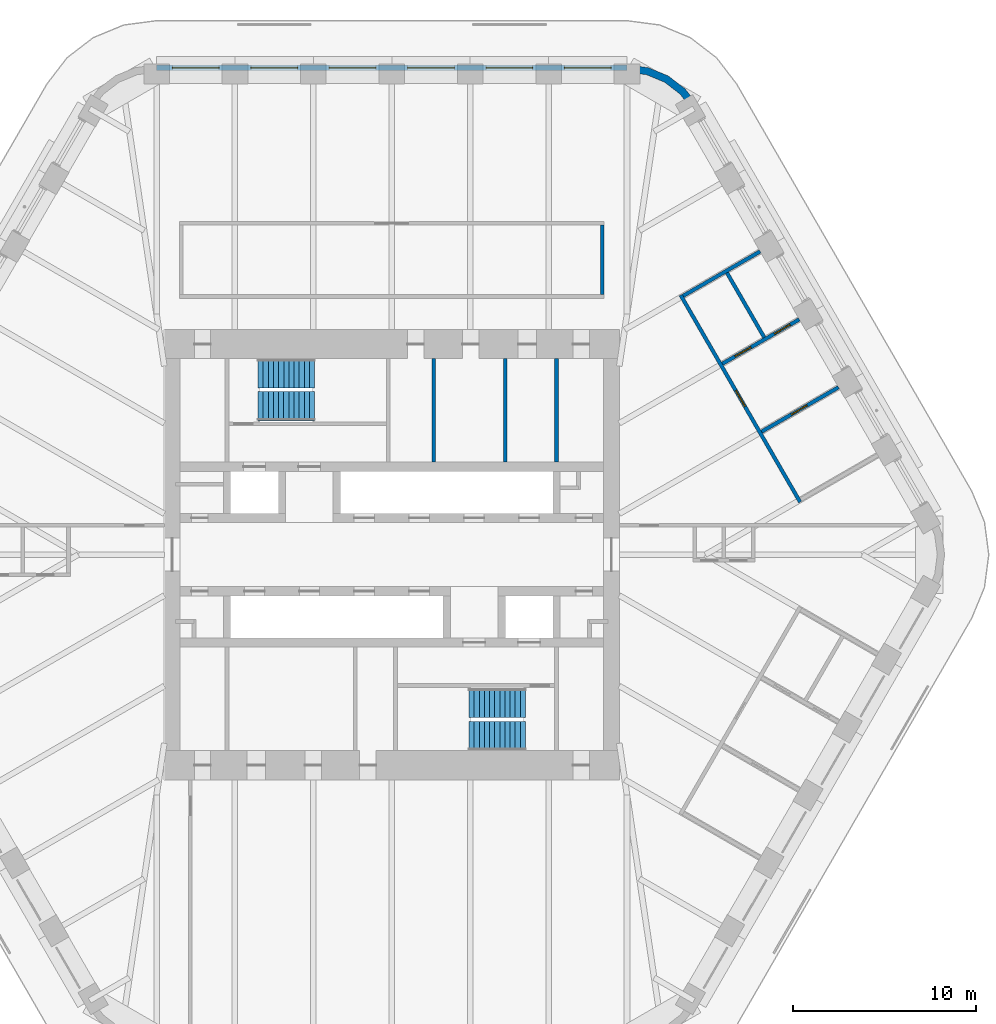
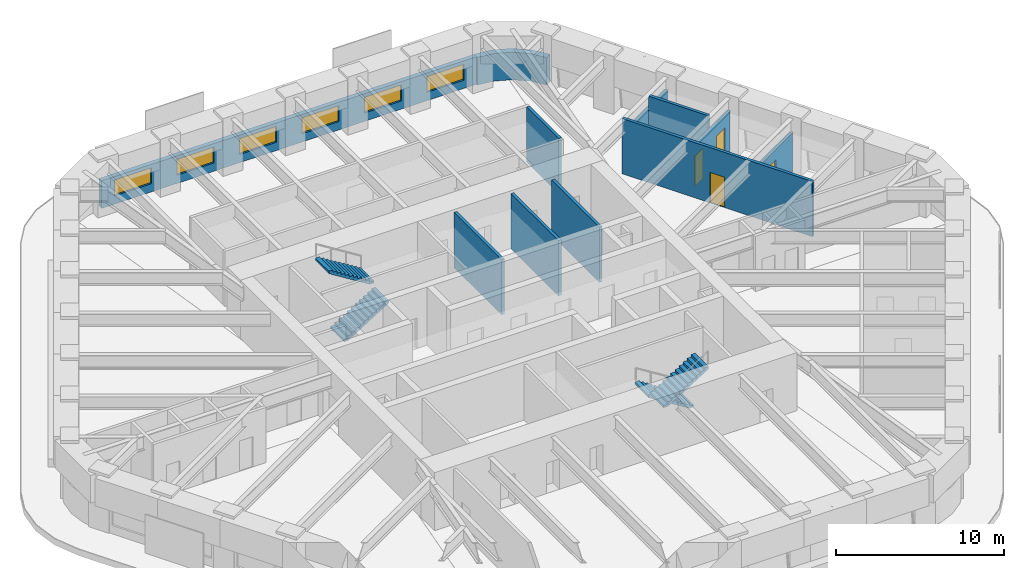
# One storey, part 16 of 18: 11 walls, 6 windows, 4 doors, 4 stair flights, 10 openings, 2 elements without a shape of their own.
"""IFC4 building model written with IfcOpenShell, lengths in metres."""

from ifc_helpers import new_model, si_unit, direction, frame, frame_2d, origin, place, context, subcontext, project, spatial, polyline, rectangle, outline, extrude, material, layer, layer_set, type_object, element, fill, aggregate, save


model = new_model("IFC4")

# Units and contexts
model_context = context("Model", 3, precision=1e-05, world=origin(), true_north=direction((0.0, 1.0)))
body_context = subcontext(model_context, "Body", "Model", "MODEL_VIEW")
ifc_project = project(units=[si_unit("LENGTHUNIT", "METRE"), si_unit("AREAUNIT", "SQUARE_METRE"), si_unit("VOLUMEUNIT", "CUBIC_METRE"), si_unit("PLANEANGLEUNIT", "RADIAN"), si_unit("MASSUNIT", "GRAM", prefix="KILO")], contexts=[model_context])

# Site, building, storey
site_placement = place(None, origin())
site = spatial("IfcSite", under=ifc_project, at=site_placement, CompositionType="ELEMENT")
building_placement = place(site_placement, origin())
building = spatial("IfcBuilding", under=site, at=building_placement, Name="Tarfa Lantern Tower", CompositionType="ELEMENT")
storey_placement = place(building_placement, frame((0.0, 0.0, 319.89990234375)))
storey = spatial("IfcBuildingStorey", under=building, at=storey_placement, Name="L72", CompositionType="ELEMENT", Elevation=319.89990234375)

# Wall, openings, windows
ifc_material_1 = material(Name="Limestone cladding on blockwork", Category="masonry")
ifc_layer_1 = layer(ifc_material_1, 0.300048828125)
ifc_layer_set_1 = layer_set([ifc_layer_1], Name="EW1 STONE-CLAD WALL 300")
wall_type_1 = type_object("IfcWallType", Name="EW1 STONE-CLAD WALL 300", PredefinedType="SOLIDWALL", material=ifc_layer_set_1)
wall_1_placement = place(storey_placement, frame((12.845947265625, 26.60009765625, 0.0), z_axis=(0.0, 0.0, 1.0), x_axis=(-1.0, 0.0, 0.0)))
wall_1 = element("IfcWall", 1, at=wall_1_placement, inside=storey, type_object=wall_type_1, Name="Stone wall N", PredefinedType="SOLIDWALL", context=body_context, shape_type="SweptSolid", body=[
    extrude(rectangle(XDim=25.69189453125, YDim=0.300048828125, at=frame_2d((12.845947265625, 0.0))), origin(), (0.0, 0.0, 1.0), 2.0),
])
opening_1_placement = place(wall_1_placement, frame((0.865966796875, 0.0, 0.60009765625)))
opening_1 = element("IfcOpeningElement", 2, at=opening_1_placement, cuts=wall_1, Name="Opening W16", PredefinedType="OPENING", context=body_context, shape_type="SweptSolid", body=[
    extrude(rectangle(XDim=2.550048828125, YDim=1.14990234375, at=frame_2d((1.27490234375, 0.574951171875))), frame((0.0, 0.159912109375, 0.0), z_axis=(0.0, -1.0, 0.0), x_axis=(1.0, 0.0, 0.0)), (0.0, 0.0, 1.0), 0.320068359375),
])
opening_2_placement = place(wall_1_placement, frame((5.14794921875, 0.0, 0.60009765625)))
opening_2 = element("IfcOpeningElement", 3, at=opening_2_placement, cuts=wall_1, Name="Opening W16", PredefinedType="OPENING", context=body_context, shape_type="SweptSolid", body=[
    extrude(rectangle(XDim=2.550048828125, YDim=1.14990234375, at=frame_2d((1.27490234375, 0.574951171875))), frame((0.0, 0.159912109375, 0.0), z_axis=(0.0, -1.0, 0.0), x_axis=(1.0, 0.0, 0.0)), (0.0, 0.0, 1.0), 0.320068359375),
])
opening_3_placement = place(wall_1_placement, frame((9.429931640625, 0.0, 0.60009765625)))
opening_3 = element("IfcOpeningElement", 4, at=opening_3_placement, cuts=wall_1, Name="Opening W16", PredefinedType="OPENING", context=body_context, shape_type="SweptSolid", body=[
    extrude(rectangle(XDim=2.550048828125, YDim=1.14990234375, at=frame_2d((1.27490234375, 0.574951171875))), frame((0.0, 0.159912109375, 0.0), z_axis=(0.0, -1.0, 0.0), x_axis=(1.0, 0.0, 0.0)), (0.0, 0.0, 1.0), 0.320068359375),
])
opening_4_placement = place(wall_1_placement, frame((13.712158203125, 0.0, 0.60009765625)))
opening_4 = element("IfcOpeningElement", 5, at=opening_4_placement, cuts=wall_1, Name="Opening W16", PredefinedType="OPENING", context=body_context, shape_type="SweptSolid", body=[
    extrude(rectangle(XDim=2.550048828125, YDim=1.14990234375, at=frame_2d((1.27490234375, 0.574951171875))), frame((0.0, 0.159912109375, 0.0), z_axis=(0.0, -1.0, 0.0), x_axis=(1.0, 0.0, 0.0)), (0.0, 0.0, 1.0), 0.320068359375),
])
opening_5_placement = place(wall_1_placement, frame((17.994140625, 0.0, 0.60009765625)))
opening_5 = element("IfcOpeningElement", 6, at=opening_5_placement, cuts=wall_1, Name="Opening W16", PredefinedType="OPENING", context=body_context, shape_type="SweptSolid", body=[
    extrude(rectangle(XDim=2.550048828125, YDim=1.14990234375, at=frame_2d((1.27490234375, 0.574951171875))), frame((0.0, 0.159912109375, 0.0), z_axis=(0.0, -1.0, 0.0), x_axis=(1.0, 0.0, 0.0)), (0.0, 0.0, 1.0), 0.320068359375),
])
opening_6_placement = place(wall_1_placement, frame((22.276123046875, 0.0, 0.60009765625)))
opening_6 = element("IfcOpeningElement", 7, at=opening_6_placement, cuts=wall_1, Name="Opening W16", PredefinedType="OPENING", context=body_context, shape_type="SweptSolid", body=[
    extrude(rectangle(XDim=2.550048828125, YDim=1.14990234375, at=frame_2d((1.27490234375, 0.574951171875))), frame((0.0, 0.159912109375, 0.0), z_axis=(0.0, -1.0, 0.0), x_axis=(1.0, 0.0, 0.0)), (0.0, 0.0, 1.0), 0.320068359375),
])
ifc_material_2 = material(Name="Aluminium frame, double glazed", Category="aluminium")
window_type = type_object("IfcWindowType", Name="W16 FULL-HEIGHT GLAZING 2550x1150", PartitioningType="SINGLE_PANEL", PredefinedType="WINDOW", material=ifc_material_2)
window_1_placement = place(opening_1_placement, origin())
window_1 = element("IfcWindow", 8, at=window_1_placement, inside=storey, type_object=window_type, Name="Window N 1", OverallHeight=1.14990234375, OverallWidth=2.550048828125, PartitioningType="SINGLE_PANEL", PredefinedType="WINDOW", context=body_context, shape_type="SweptSolid", body=[
    extrude(rectangle(XDim=2.550048828125, YDim=1.14990234375, at=frame_2d((1.27490234375, 0.574951171875))), frame((0.0, 0.030029296875, 0.0), z_axis=(0.0, -1.0, 0.0), x_axis=(1.0, 0.0, 0.0)), (0.0, 0.0, 1.0), 0.06005859375),
])
fill(opening_1, window_1)
window_2_placement = place(opening_2_placement, origin())
window_2 = element("IfcWindow", 9, at=window_2_placement, inside=storey, type_object=window_type, Name="Window N 2", OverallHeight=1.14990234375, OverallWidth=2.550048828125, PartitioningType="SINGLE_PANEL", PredefinedType="WINDOW", context=body_context, shape_type="SweptSolid", body=[
    extrude(rectangle(XDim=2.550048828125, YDim=1.14990234375, at=frame_2d((1.27490234375, 0.574951171875))), frame((0.0, 0.030029296875, 0.0), z_axis=(0.0, -1.0, 0.0), x_axis=(1.0, 0.0, 0.0)), (0.0, 0.0, 1.0), 0.06005859375),
])
fill(opening_2, window_2)
window_3_placement = place(opening_3_placement, origin())
window_3 = element("IfcWindow", 10, at=window_3_placement, inside=storey, type_object=window_type, Name="Window N 3", OverallHeight=1.14990234375, OverallWidth=2.550048828125, PartitioningType="SINGLE_PANEL", PredefinedType="WINDOW", context=body_context, shape_type="SweptSolid", body=[
    extrude(rectangle(XDim=2.550048828125, YDim=1.14990234375, at=frame_2d((1.27490234375, 0.574951171875))), frame((0.0, 0.030029296875, 0.0), z_axis=(0.0, -1.0, 0.0), x_axis=(1.0, 0.0, 0.0)), (0.0, 0.0, 1.0), 0.06005859375),
])
fill(opening_3, window_3)
window_4_placement = place(opening_4_placement, origin())
window_4 = element("IfcWindow", 11, at=window_4_placement, inside=storey, type_object=window_type, Name="Window N 4", OverallHeight=1.14990234375, OverallWidth=2.550048828125, PartitioningType="SINGLE_PANEL", PredefinedType="WINDOW", context=body_context, shape_type="SweptSolid", body=[
    extrude(rectangle(XDim=2.550048828125, YDim=1.14990234375, at=frame_2d((1.27490234375, 0.574951171875))), frame((0.0, 0.030029296875, 0.0), z_axis=(0.0, -1.0, 0.0), x_axis=(1.0, 0.0, 0.0)), (0.0, 0.0, 1.0), 0.06005859375),
])
fill(opening_4, window_4)
window_5_placement = place(opening_5_placement, origin())
window_5 = element("IfcWindow", 12, at=window_5_placement, inside=storey, type_object=window_type, Name="Window N 5", OverallHeight=1.14990234375, OverallWidth=2.550048828125, PartitioningType="SINGLE_PANEL", PredefinedType="WINDOW", context=body_context, shape_type="SweptSolid", body=[
    extrude(rectangle(XDim=2.550048828125, YDim=1.14990234375, at=frame_2d((1.27490234375, 0.574951171875))), frame((0.0, 0.030029296875, 0.0), z_axis=(0.0, -1.0, 0.0), x_axis=(1.0, 0.0, 0.0)), (0.0, 0.0, 1.0), 0.06005859375),
])
fill(opening_5, window_5)
window_6_placement = place(opening_6_placement, origin())
window_6 = element("IfcWindow", 13, at=window_6_placement, inside=storey, type_object=window_type, Name="Window N 6", OverallHeight=1.14990234375, OverallWidth=2.550048828125, PartitioningType="SINGLE_PANEL", PredefinedType="WINDOW", context=body_context, shape_type="SweptSolid", body=[
    extrude(rectangle(XDim=2.550048828125, YDim=1.14990234375, at=frame_2d((1.27490234375, 0.574951171875))), frame((0.0, 0.030029296875, 0.0), z_axis=(0.0, -1.0, 0.0), x_axis=(1.0, 0.0, 0.0)), (0.0, 0.0, 1.0), 0.06005859375),
])
fill(opening_6, window_6)

# Walls
ifc_layer_2 = layer(ifc_material_1, 0.39990234375)
ifc_layer_set_2 = layer_set([ifc_layer_2], Name="EW2 CURVED STONE CORNER 400")
wall_type_2 = type_object("IfcWallType", Name="EW2 CURVED STONE CORNER 400", PredefinedType="SOLIDWALL", material=ifc_layer_set_2)
wall_2_placement = place(storey_placement, origin())
element("IfcWall", 14, at=wall_2_placement, inside=storey, type_object=wall_type_2, Name="Stone corner NE-N", PredefinedType="SOLIDWALL", context=body_context, shape_type="SweptSolid", body=[
    extrude(outline(polyline([(16.7431640625, 24.5), (16.028076171875, 25.431884765625), (15.095947265625, 26.147216796875), (14.0107421875, 26.5966796875), (12.845947265625, 26.75), (12.845947265625, 26.35009765625), (13.9072265625, 26.210205078125), (14.89599609375, 25.80078125), (15.7451171875, 25.149169921875), (16.396728515625, 24.300048828125), (16.7431640625, 24.5)])), origin(), (0.0, 0.0, 1.0), 2.0),
])
ifc_material_3 = material(Name="Concrete blockwork", Category="masonry")
ifc_layer_3 = layer(ifc_material_3, 0.199951171875)
ifc_layer_set_3 = layer_set([ifc_layer_3], Name="IW1 BLOCKWORK PARTITION 200 EI 120")
wall_type_3 = type_object("IfcWallType", Name="IW1 BLOCKWORK PARTITION 200 EI 120", PredefinedType="PARTITIONING", material=ifc_layer_set_3)
for number, where, z_axis, x_axis, name in (
    (15, (9.0, 5.050048828125, 0.0), (0.0, 0.0, 1.0), (0.0, 1.0, 0.0), "Core partition"),
    (16, (2.300048828125, 5.050048828125, 0.0), (0.0, 0.0, 1.0), (0.0, 1.0, 0.0), "Core partition"),
    (17, (6.199951171875, 5.050048828125, 0.0), (0.0, 0.0, 1.0), (0.0, 1.0, 0.0), "Core partition"),
):
    element("IfcWall", number, at=place(storey_placement, frame(where, z_axis=z_axis, x_axis=x_axis)), inside=storey, type_object=wall_type_3, Name=name, PredefinedType="PARTITIONING", context=body_context, shape_type="SweptSolid", body=[
        extrude(rectangle(XDim=5.64990234375, YDim=0.199951171875, at=frame_2d((2.824951171875, 0.0))), origin(), (0.0, 0.0, 1.0), 4.0),
    ])
ifc_material_4 = material(Name="Gypsum board on steel studs", Category="steel")
ifc_layer_4 = layer(ifc_material_4, 0.2099609375)
ifc_layer_set_4 = layer_set([ifc_layer_4], Name="IW2 ACOUSTIC PARTITION 200")
wall_type_4 = type_object("IfcWallType", Name="IW2 ACOUSTIC PARTITION 200", PredefinedType="PARTITIONING", material=ifc_layer_set_4)
wall_3_placement = place(storey_placement, frame((11.5, 14.199951171875, 0.0), z_axis=(0.0, 0.0, 1.0), x_axis=(0.0, 1.0, 0.0)))
element("IfcWall", 18, at=wall_3_placement, inside=storey, type_object=wall_type_4, Name="Partition", PredefinedType="PARTITIONING", context=body_context, shape_type="SweptSolid", body=[
    extrude(rectangle(XDim=3.800048828125, YDim=0.199951171875, at=frame_2d((1.89990234375, 0.0))), origin(), (0.0, 0.0, 1.0), 4.0),
])

# Wall, opening, door
wall_4_placement = place(storey_placement, frame((22.302001953125, 2.871826171875, 0.0), z_axis=(0.0, 0.0, 1.0), x_axis=(-0.499999460936, 0.866025715013, 0.0)))
wall_4 = element("IfcWall", 19, at=wall_4_placement, inside=storey, type_object=wall_type_4, Name="Partition", PredefinedType="PARTITIONING", context=body_context, shape_type="SweptSolid", body=[
    extrude(rectangle(XDim=13.0458984375, YDim=0.199951171875, at=frame_2d((6.52294921875, 0.0))), origin(), (0.0, 0.0, 1.0), 4.0),
])
opening_7_placement = place(wall_4_placement, frame((6.02294921875, 0.0, 0.0)))
opening_7 = element("IfcOpeningElement", 20, at=opening_7_placement, cuts=wall_4, Name="Opening D22", PredefinedType="OPENING", context=body_context, shape_type="SweptSolid", body=[
    extrude(rectangle(XDim=1.0, YDim=2.199951171875, at=frame_2d((0.5, 1.10009765625))), frame((0.0, 0.10986328125, 0.0), z_axis=(0.0, -1.0, 0.0), x_axis=(1.0, 0.0, 0.0)), (0.0, 0.0, 1.0), 0.219970703125),
])
ifc_material_5 = material(Name="Timber door", Category="wood")
door_type = type_object("IfcDoorType", Name="DR1 ROOM DOOR 1000x2200", OperationType="SINGLE_SWING_LEFT", PredefinedType="DOOR", material=ifc_material_5)
door_1_placement = place(opening_7_placement, frame((1.0, 0.0, 0.0), z_axis=(0.0, 0.0, 1.0), x_axis=(-1.0, 0.0, 0.0)))
door_1 = element("IfcDoor", 21, at=door_1_placement, inside=storey, type_object=door_type, Name="PA area door", OperationType="SINGLE_SWING_LEFT", OverallHeight=2.199951171875, OverallWidth=1.0, PredefinedType="DOOR", context=body_context, shape_type="SweptSolid", body=[
    extrude(rectangle(XDim=1.0, YDim=2.199951171875, at=frame_2d((0.5, 1.10009765625))), frame((0.0, 0.02490234375, 0.0), z_axis=(0.0, -1.0, 0.0), x_axis=(1.0, 0.0, 0.0)), (0.0, 0.0, 1.0), 0.050048828125),
])
fill(opening_7, door_1)

wall_5_placement = place(storey_placement, frame((20.19775390625, 6.716552734375, 0.0), z_axis=(0.0, 0.0, 1.0), x_axis=(0.866019606374, 0.500010041276, 0.0)))
wall_5 = element("IfcWall", 22, at=wall_5_placement, inside=storey, type_object=wall_type_4, Name="Partition", PredefinedType="PARTITIONING", context=body_context, shape_type="SweptSolid", body=[
    extrude(rectangle(XDim=4.85009765625, YDim=0.199951171875, at=frame_2d((2.425048828125, 0.0))), origin(), (0.0, 0.0, 1.0), 2.991943359375),
])
opening_8_placement = place(wall_5_placement, frame((1.875, 0.0, 0.0)))
opening_8 = element("IfcOpeningElement", 23, at=opening_8_placement, cuts=wall_5, Name="Opening D21", PredefinedType="OPENING", context=body_context, shape_type="SweptSolid", body=[
    extrude(rectangle(XDim=1.0, YDim=2.199951171875, at=frame_2d((0.5, 1.10009765625))), frame((0.0, 0.10986328125, 0.0), z_axis=(0.0, -1.0, 0.0), x_axis=(1.0, 0.0, 0.0)), (0.0, 0.0, 1.0), 0.219970703125),
])
door_2_placement = place(opening_8_placement, frame((1.0, 0.0, 0.0), z_axis=(0.0, 0.0, 1.0), x_axis=(-1.0, 0.0, 0.0)))
door_2 = element("IfcDoor", 24, at=door_2_placement, inside=storey, type_object=door_type, Name="Executive office door", OperationType="SINGLE_SWING_LEFT", OverallHeight=2.199951171875, OverallWidth=1.0, PredefinedType="DOOR", context=body_context, shape_type="SweptSolid", body=[
    extrude(rectangle(XDim=1.0, YDim=2.199951171875, at=frame_2d((0.5, 1.10009765625))), frame((0.0, 0.02490234375, 0.0), z_axis=(0.0, -1.0, 0.0), x_axis=(1.0, 0.0, 0.0)), (0.0, 0.0, 1.0), 0.050048828125),
])
fill(opening_8, door_2)

# Wall, openings, doors
wall_6_placement = place(storey_placement, frame((18.056640625, 10.425048828125, 0.0), z_axis=(0.0, 0.0, 1.0), x_axis=(0.866019606374, 0.500010041276, 0.0)))
wall_6 = element("IfcWall", 25, at=wall_6_placement, inside=storey, type_object=wall_type_4, Name="Partition", PredefinedType="PARTITIONING", context=body_context, shape_type="SweptSolid", body=[
    extrude(rectangle(XDim=4.85009765625, YDim=0.199951171875, at=frame_2d((2.425048828125, 0.0))), origin(), (0.0, 0.0, 1.0), 3.081787109375),
])
opening_9_placement = place(wall_6_placement, frame((0.800048828125, 0.0, 0.0)))
opening_9 = element("IfcOpeningElement", 26, at=opening_9_placement, cuts=wall_6, Name="Opening D23", PredefinedType="OPENING", context=body_context, shape_type="SweptSolid", body=[
    extrude(rectangle(XDim=1.0, YDim=2.199951171875, at=frame_2d((0.5, 1.10009765625))), frame((0.0, 0.10986328125, 0.0), z_axis=(0.0, -1.0, 0.0), x_axis=(1.0, 0.0, 0.0)), (0.0, 0.0, 1.0), 0.219970703125),
])
opening_10_placement = place(wall_6_placement, frame((3.27490234375, 0.0, 0.0)))
opening_10 = element("IfcOpeningElement", 27, at=opening_10_placement, cuts=wall_6, Name="Opening D24", PredefinedType="OPENING", context=body_context, shape_type="SweptSolid", body=[
    extrude(rectangle(XDim=1.0, YDim=2.199951171875, at=frame_2d((0.5, 1.10009765625))), frame((0.0, 0.10986328125, 0.0), z_axis=(0.0, -1.0, 0.0), x_axis=(1.0, 0.0, 0.0)), (0.0, 0.0, 1.0), 0.219970703125),
])
door_3_placement = place(opening_9_placement, origin())
door_3 = element("IfcDoor", 28, at=door_3_placement, inside=storey, type_object=door_type, Name="Meeting room door", OperationType="SINGLE_SWING_RIGHT", OverallHeight=2.199951171875, OverallWidth=1.0, PredefinedType="DOOR", context=body_context, shape_type="SweptSolid", body=[
    extrude(rectangle(XDim=1.0, YDim=2.199951171875, at=frame_2d((0.5, 1.10009765625))), frame((0.0, 0.02490234375, 0.0), z_axis=(0.0, -1.0, 0.0), x_axis=(1.0, 0.0, 0.0)), (0.0, 0.0, 1.0), 0.050048828125),
])
fill(opening_9, door_3)
door_4_placement = place(opening_10_placement, origin())
door_4 = element("IfcDoor", 29, at=door_4_placement, inside=storey, type_object=door_type, Name="Private lounge door", OperationType="SINGLE_SWING_RIGHT", OverallHeight=2.199951171875, OverallWidth=1.0, PredefinedType="DOOR", context=body_context, shape_type="SweptSolid", body=[
    extrude(rectangle(XDim=1.0, YDim=2.199951171875, at=frame_2d((0.5, 1.10009765625))), frame((0.0, 0.02490234375, 0.0), z_axis=(0.0, -1.0, 0.0), x_axis=(1.0, 0.0, 0.0)), (0.0, 0.0, 1.0), 0.050048828125),
])
fill(opening_10, door_4)

# Walls
wall_7_placement = place(storey_placement, frame((15.91552734375, 14.13330078125, 0.0), z_axis=(0.0, 0.0, 1.0), x_axis=(0.866032190624, 0.499988244665, 0.0)))
element("IfcWall", 30, at=wall_7_placement, inside=storey, type_object=wall_type_4, Name="Partition", PredefinedType="PARTITIONING", context=body_context, shape_type="SweptSolid", body=[
    extrude(rectangle(XDim=4.85009765625, YDim=0.199951171875, at=frame_2d((2.425048828125, 0.0))), origin(), (0.0, 0.0, 1.0), 3.081787109375),
])
wall_8_placement = place(storey_placement, frame((20.344970703125, 11.861572265625, 0.0), z_axis=(0.0, 0.0, 1.0), x_axis=(-0.499998569178, 0.866026229868, 0.0)))
element("IfcWall", 31, at=wall_8_placement, inside=storey, type_object=wall_type_4, Name="Partition", PredefinedType="PARTITIONING", context=body_context, shape_type="SweptSolid", body=[
    extrude(rectangle(XDim=4.08203125, YDim=0.199951171875, at=frame_2d((2.041015625, 0.0))), origin(), (0.0, 0.0, 1.0), 4.0),
])

# Stair, stair flights
ifc_material_6 = material(Name="Concrete C40/50", Category="concrete")
stair_type = type_object("IfcStairType", Name="ST-T10 HALF-TURN STAIR 4200 RISE", PredefinedType="HALF_TURN_STAIR", material=ifc_material_6)
stair_1_placement = place(storey_placement, origin())
stair_1 = element("IfcStair", 32, at=stair_1_placement, inside=storey, type_object=stair_type, Name="Stair ST1", PredefinedType="HALF_TURN_STAIR")
stair_flight_type = type_object("IfcStairFlightType", Name="SF1 STAIR FLIGHT", PredefinedType="STRAIGHT", material=ifc_material_6)
stair_flight_1_placement = place(storey_placement, frame((-7.300048828125, 8.10009765625, 0.0), z_axis=(0.0, 0.0, 1.0), x_axis=(1.0, 0.0, 0.0)))
stair_flight_1 = element("IfcStairFlight", 33, at=stair_flight_1_placement, type_object=stair_flight_type, Name="ST1 flight 1", NumberOfRisers=12, NumberOfTreads=11, PredefinedType="STRAIGHT", RiserHeight=0.175, TreadLength=0.28, context=body_context, shape_type="SweptSolid", body=[
    extrude(outline(polyline([(0.0, 0.0), (0.0, 0.175048828125), (0.280029296875, 0.175048828125), (0.280029296875, 0.35009765625), (0.56005859375, 0.35009765625), (0.56005859375, 0.52490234375), (0.840087890625, 0.52490234375), (0.840087890625, 0.699951171875), (1.1201171875, 0.699951171875), (1.1201171875, 0.875), (1.39990234375, 0.875), (1.39990234375, 1.050048828125), (1.679931640625, 1.050048828125), (1.679931640625, 1.22509765625), (1.9599609375, 1.22509765625), (1.9599609375, 1.39990234375), (2.239990234375, 1.39990234375), (2.239990234375, 1.574951171875), (2.52001953125, 1.574951171875), (2.52001953125, 1.75), (2.800048828125, 1.75), (2.800048828125, 1.925048828125), (3.080078125, 1.925048828125), (3.080078125, 2.10009765625), (3.080078125, 1.748291015625), (0.28271484375, 0.0), (0.0, 0.0)])), frame((0.0, 0.800048828125, 0.0), z_axis=(0.0, -1.0, 0.0), x_axis=(1.0, 0.0, 0.0)), (0.0, 0.0, 1.0), 1.60009765625),
])
stair_flight_2_placement = place(storey_placement, frame((-4.219970703125, 9.89990234375, 2.10009765625), z_axis=(0.0, 0.0, 1.0), x_axis=(-1.0, 0.0, 0.0)))
stair_flight_2 = element("IfcStairFlight", 34, at=stair_flight_2_placement, type_object=stair_flight_type, Name="ST1 flight 2", NumberOfRisers=12, NumberOfTreads=11, PredefinedType="STRAIGHT", RiserHeight=0.175, TreadLength=0.28, context=body_context, shape_type="SweptSolid", body=[
    extrude(outline(polyline([(0.0, 0.0), (0.0, 0.175048828125), (0.280029296875, 0.175048828125), (0.280029296875, 0.35009765625), (0.56005859375, 0.35009765625), (0.56005859375, 0.52490234375), (0.840087890625, 0.52490234375), (0.840087890625, 0.699951171875), (1.1201171875, 0.699951171875), (1.1201171875, 0.875), (1.39990234375, 0.875), (1.39990234375, 1.050048828125), (1.679931640625, 1.050048828125), (1.679931640625, 1.22509765625), (1.9599609375, 1.22509765625), (1.9599609375, 1.39990234375), (2.239990234375, 1.39990234375), (2.239990234375, 1.574951171875), (2.52001953125, 1.574951171875), (2.52001953125, 1.75), (2.800048828125, 1.75), (2.800048828125, 1.925048828125), (3.080078125, 1.925048828125), (3.080078125, 2.10009765625), (3.080078125, 1.748291015625), (0.28271484375, 0.0), (0.0, 0.0)])), frame((0.0, 0.800048828125, 0.0), z_axis=(0.0, -1.0, 0.0), x_axis=(1.0, 0.0, 0.0)), (0.0, 0.0, 1.0), 1.60009765625),
])
aggregate(stair_1, [stair_flight_1, stair_flight_2])

stair_2_placement = place(storey_placement, origin())
stair_2 = element("IfcStair", 35, at=stair_2_placement, inside=storey, type_object=stair_type, Name="Stair ST2", PredefinedType="HALF_TURN_STAIR")
stair_flight_3_placement = place(storey_placement, frame((7.300048828125, -8.10009765625, 0.0), z_axis=(0.0, 0.0, 1.0), x_axis=(-1.0, 0.0, 0.0)))
stair_flight_3 = element("IfcStairFlight", 36, at=stair_flight_3_placement, type_object=stair_flight_type, Name="ST2 flight 1", NumberOfRisers=12, NumberOfTreads=11, PredefinedType="STRAIGHT", RiserHeight=0.175, TreadLength=0.28, context=body_context, shape_type="SweptSolid", body=[
    extrude(outline(polyline([(0.0, 0.0), (0.0, 0.175048828125), (0.280029296875, 0.175048828125), (0.280029296875, 0.35009765625), (0.56005859375, 0.35009765625), (0.56005859375, 0.52490234375), (0.840087890625, 0.52490234375), (0.840087890625, 0.699951171875), (1.1201171875, 0.699951171875), (1.1201171875, 0.875), (1.39990234375, 0.875), (1.39990234375, 1.050048828125), (1.679931640625, 1.050048828125), (1.679931640625, 1.22509765625), (1.9599609375, 1.22509765625), (1.9599609375, 1.39990234375), (2.239990234375, 1.39990234375), (2.239990234375, 1.574951171875), (2.52001953125, 1.574951171875), (2.52001953125, 1.75), (2.800048828125, 1.75), (2.800048828125, 1.925048828125), (3.080078125, 1.925048828125), (3.080078125, 2.10009765625), (3.080078125, 1.748291015625), (0.28271484375, 0.0), (0.0, 0.0)])), frame((0.0, 0.800048828125, 0.0), z_axis=(0.0, -1.0, 0.0), x_axis=(1.0, 0.0, 0.0)), (0.0, 0.0, 1.0), 1.60009765625),
])
stair_flight_4_placement = place(storey_placement, frame((4.219970703125, -9.89990234375, 2.10009765625), z_axis=(0.0, 0.0, 1.0), x_axis=(1.0, 0.0, 0.0)))
stair_flight_4 = element("IfcStairFlight", 37, at=stair_flight_4_placement, type_object=stair_flight_type, Name="ST2 flight 2", NumberOfRisers=12, NumberOfTreads=11, PredefinedType="STRAIGHT", RiserHeight=0.175, TreadLength=0.28, context=body_context, shape_type="SweptSolid", body=[
    extrude(outline(polyline([(0.0, 0.0), (0.0, 0.175048828125), (0.280029296875, 0.175048828125), (0.280029296875, 0.35009765625), (0.56005859375, 0.35009765625), (0.56005859375, 0.52490234375), (0.840087890625, 0.52490234375), (0.840087890625, 0.699951171875), (1.1201171875, 0.699951171875), (1.1201171875, 0.875), (1.39990234375, 0.875), (1.39990234375, 1.050048828125), (1.679931640625, 1.050048828125), (1.679931640625, 1.22509765625), (1.9599609375, 1.22509765625), (1.9599609375, 1.39990234375), (2.239990234375, 1.39990234375), (2.239990234375, 1.574951171875), (2.52001953125, 1.574951171875), (2.52001953125, 1.75), (2.800048828125, 1.75), (2.800048828125, 1.925048828125), (3.080078125, 1.925048828125), (3.080078125, 2.10009765625), (3.080078125, 1.748291015625), (0.28271484375, 0.0), (0.0, 0.0)])), frame((0.0, 0.800048828125, 0.0), z_axis=(0.0, -1.0, 0.0), x_axis=(1.0, 0.0, 0.0)), (0.0, 0.0, 1.0), 1.60009765625),
])
aggregate(stair_2, [stair_flight_3, stair_flight_4])

save(model, "model.ifc")
